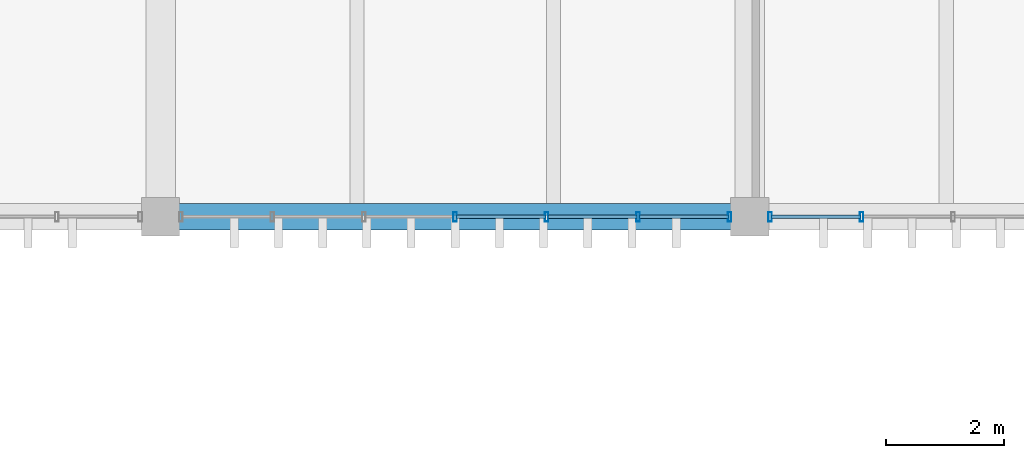
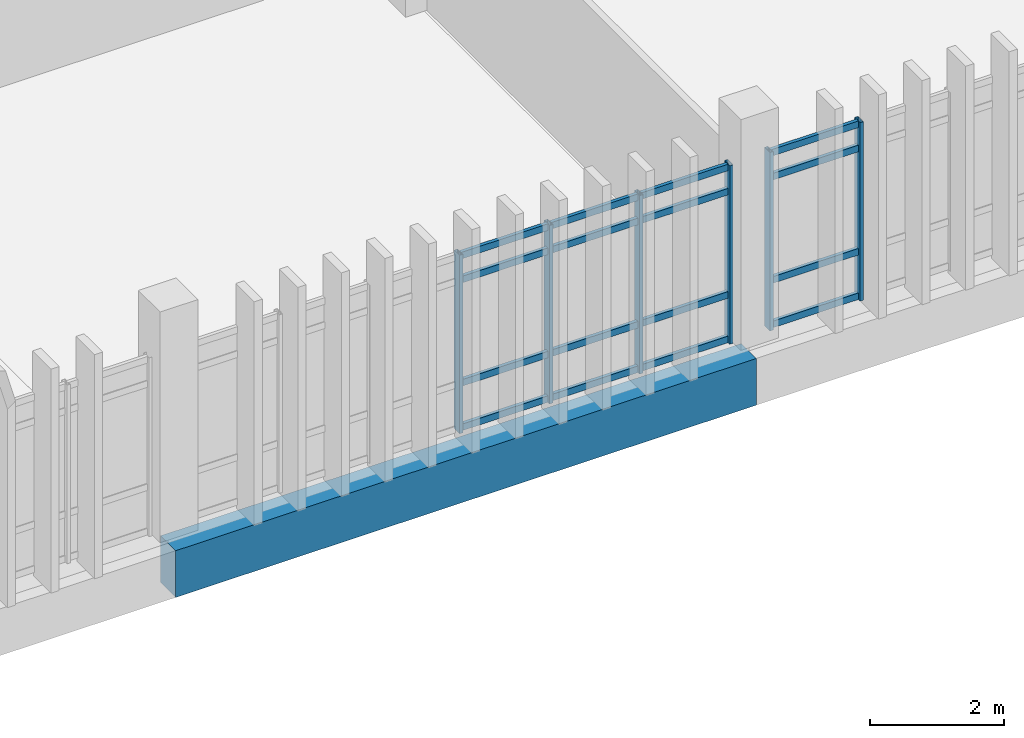
# One storey, part 22 of 82: 22 members, 1 beam, 2 elements without a shape of their own.
"""IFC4 building model written with IfcOpenShell, lengths in metres."""

from ifc_helpers import new_model, si_unit, direction, frame, origin, origin_2d, place, context, subcontext, project, spatial, rectangle, hollow_rectangle, extrude, material, layer, layer_set, material_profile, profile_set, type_object, element, aggregate, save


model = new_model("IFC4")

# Units and contexts
model_context = context("Model", 3, precision=1e-05, world=origin(), true_north=direction((0.0, 1.0)))
body_context = subcontext(model_context, "Body", "Model", "MODEL_VIEW")
ifc_project = project(units=[si_unit("LENGTHUNIT", "METRE"), si_unit("AREAUNIT", "SQUARE_METRE"), si_unit("VOLUMEUNIT", "CUBIC_METRE"), si_unit("PLANEANGLEUNIT", "RADIAN"), si_unit("MASSUNIT", "GRAM", prefix="KILO")], contexts=[model_context])

# Site, building, storey
site_placement = place(None, origin())
site = spatial("IfcSite", under=ifc_project, at=site_placement, CompositionType="ELEMENT")
building_placement = place(site_placement, origin())
building = spatial("IfcBuilding", under=site, at=building_placement, Name="Mersad Railyard Sports Hall", CompositionType="ELEMENT")
storey_placement = place(building_placement, frame((0.0, 0.0, 13.199951171875)))
storey = spatial("IfcBuildingStorey", under=building, at=storey_placement, Name="L03", CompositionType="ELEMENT", Elevation=13.199951171875)

# Curtain wall, members
ifc_material_1 = material(Name="Aluminium 6063-T6", Category="aluminium")
ifc_layer = layer(ifc_material_1, 0.159912109375)
ifc_layer_set = layer_set([ifc_layer], Name="Aluminium 6063-T6")
curtain_wall_type = type_object("IfcCurtainWallType", Name="ARC-CW-CW60", PredefinedType="USERDEFINED", material=ifc_layer_set)
curtain_wall_1_placement = place(storey_placement, origin())
curtain_wall_1 = element("IfcCurtainWall", 1, at=curtain_wall_1_placement, inside=storey, type_object=curtain_wall_type, Name="Curtain wall CW60-0158", ObjectType="CURTAIN WALL", PredefinedType="USERDEFINED")
ifc_material_profile_1 = material_profile(ifc_material_1, hollow_rectangle(XDim=0.06005859375, YDim=0.159912109375, WallThickness=0.00390625, at=origin_2d()), Name="AL MULLION 60x160x4")
ifc_profile_set_1 = profile_set([ifc_material_profile_1], Name="Aluminium 6063-T6")
member_type_1 = type_object("IfcMemberType", Name="ARC-CW-MUL01", PredefinedType="MULLION", material=ifc_profile_set_1)
member_1_placement = place(storey_placement, frame((100.655029296875, 85.0, -0.02001953125), z_axis=(0.0, 0.0, 1.0), x_axis=(1.0, 0.0, 0.0)))
member_1 = element("IfcMember", 2, at=member_1_placement, type_object=member_type_1, Name="CW60 Mullion 1", PredefinedType="MULLION", context=body_context, shape_type="SweptSolid", body=[
    extrude(hollow_rectangle(XDim=0.06005859375, YDim=0.159912109375, WallThickness=0.00390625, at=origin_2d()), origin(), (0.0, 0.0, 1.0), 3.25),
])
member_2_placement = place(storey_placement, frame((99.103271484375, 85.0, -0.02001953125), z_axis=(0.0, 0.0, 1.0), x_axis=(1.0, 0.0, 0.0)))
member_2 = element("IfcMember", 3, at=member_2_placement, type_object=member_type_1, Name="CW60 Mullion 2", PredefinedType="MULLION", context=body_context, shape_type="SweptSolid", body=[
    extrude(hollow_rectangle(XDim=0.06005859375, YDim=0.159912109375, WallThickness=0.00390625, at=origin_2d()), origin(), (0.0, 0.0, 1.0), 3.25),
])
member_3_placement = place(storey_placement, frame((97.5517578125, 85.0, -0.02001953125), z_axis=(0.0, 0.0, 1.0), x_axis=(1.0, 0.0, 0.0)))
member_3 = element("IfcMember", 4, at=member_3_placement, type_object=member_type_1, Name="CW60 Mullion 3", PredefinedType="MULLION", context=body_context, shape_type="SweptSolid", body=[
    extrude(hollow_rectangle(XDim=0.06005859375, YDim=0.159912109375, WallThickness=0.00390625, at=origin_2d()), origin(), (0.0, 0.0, 1.0), 3.25),
])
member_4_placement = place(storey_placement, frame((96.0, 85.0, -0.02001953125), z_axis=(0.0, 0.0, 1.0), x_axis=(1.0, 0.0, 0.0)))
member_4 = element("IfcMember", 5, at=member_4_placement, type_object=member_type_1, Name="CW60 Mullion 4", PredefinedType="MULLION", context=body_context, shape_type="SweptSolid", body=[
    extrude(hollow_rectangle(XDim=0.06005859375, YDim=0.159912109375, WallThickness=0.00390625, at=origin_2d()), origin(), (0.0, 0.0, 1.0), 3.25),
])

curtain_wall_2_placement = place(storey_placement, origin())
curtain_wall_2 = element("IfcCurtainWall", 6, at=curtain_wall_2_placement, inside=storey, type_object=curtain_wall_type, Name="Curtain wall CW60-0159", ObjectType="CURTAIN WALL", PredefinedType="USERDEFINED")
member_5_placement = place(storey_placement, frame((102.896728515625, 85.0, -0.02001953125), z_axis=(0.0, 0.0, 1.0), x_axis=(1.0, 0.0, 0.0)))
member_5 = element("IfcMember", 7, at=member_5_placement, type_object=member_type_1, Name="CW60 Mullion 6", PredefinedType="MULLION", context=body_context, shape_type="SweptSolid", body=[
    extrude(hollow_rectangle(XDim=0.06005859375, YDim=0.159912109375, WallThickness=0.00390625, at=origin_2d()), origin(), (0.0, 0.0, 1.0), 3.25),
])
member_6_placement = place(storey_placement, frame((101.344970703125, 85.0, -0.02001953125), z_axis=(0.0, 0.0, 1.0), x_axis=(1.0, 0.0, 0.0)))
member_6 = element("IfcMember", 8, at=member_6_placement, type_object=member_type_1, Name="CW60 Mullion 7", PredefinedType="MULLION", context=body_context, shape_type="SweptSolid", body=[
    extrude(hollow_rectangle(XDim=0.06005859375, YDim=0.159912109375, WallThickness=0.00390625, at=origin_2d()), origin(), (0.0, 0.0, 1.0), 3.25),
])

# Member
ifc_material_profile_2 = material_profile(ifc_material_1, hollow_rectangle(XDim=0.06005859375, YDim=0.1201171875, WallThickness=0.00390625, at=origin_2d()), Name="AL TRANSOM 60x120x4")
ifc_profile_set_2 = profile_set([ifc_material_profile_2], Name="Aluminium 6063-T6")
member_type_2 = type_object("IfcMemberType", Name="ARC-CW-TRN01", PredefinedType="USERDEFINED", material=ifc_profile_set_2)
member_7_placement = place(storey_placement, frame((100.635009765625, 85.0, 0.0400390625), z_axis=(-1.0, 0.0, 0.0), x_axis=(0.0, -1.0, 0.0)))
member_7 = element("IfcMember", 9, at=member_7_placement, type_object=member_type_2, Name="CW60 Transom 1-1", ObjectType="TRANSOM", PredefinedType="USERDEFINED", context=body_context, shape_type="SweptSolid", body=[
    extrude(hollow_rectangle(XDim=0.06005859375, YDim=0.1201171875, WallThickness=0.00390625, at=origin_2d()), origin(), (0.0, 0.0, 1.0), 1.51171875),
])

member_8_placement = place(storey_placement, frame((99.083251953125, 85.0, 0.0400390625), z_axis=(-1.0, 0.0, 0.0), x_axis=(0.0, -1.0, 0.0)))
member_8 = element("IfcMember", 10, at=member_8_placement, type_object=member_type_2, Name="CW60 Transom 1-2", ObjectType="TRANSOM", PredefinedType="USERDEFINED", context=body_context, shape_type="SweptSolid", body=[
    extrude(hollow_rectangle(XDim=0.06005859375, YDim=0.1201171875, WallThickness=0.00390625, at=origin_2d()), origin(), (0.0, 0.0, 1.0), 1.511474609375),
])

member_9_placement = place(storey_placement, frame((97.53173828125, 85.0, 0.0400390625), z_axis=(-1.0, 0.0, 0.0), x_axis=(0.0, -1.0, 0.0)))
member_9 = element("IfcMember", 11, at=member_9_placement, type_object=member_type_2, Name="CW60 Transom 1-3", ObjectType="TRANSOM", PredefinedType="USERDEFINED", context=body_context, shape_type="SweptSolid", body=[
    extrude(hollow_rectangle(XDim=0.06005859375, YDim=0.1201171875, WallThickness=0.00390625, at=origin_2d()), origin(), (0.0, 0.0, 1.0), 1.51171875),
])

member_10_placement = place(storey_placement, frame((100.635009765625, 85.0, 0.85009765625), z_axis=(-1.0, 0.0, 0.0), x_axis=(0.0, -1.0, 0.0)))
member_10 = element("IfcMember", 12, at=member_10_placement, type_object=member_type_2, Name="CW60 Transom 2-1", ObjectType="TRANSOM", PredefinedType="USERDEFINED", context=body_context, shape_type="SweptSolid", body=[
    extrude(hollow_rectangle(XDim=0.06005859375, YDim=0.1201171875, WallThickness=0.00390625, at=origin_2d()), origin(), (0.0, 0.0, 1.0), 1.51171875),
])

member_11_placement = place(storey_placement, frame((99.083251953125, 85.0, 0.85009765625), z_axis=(-1.0, 0.0, 0.0), x_axis=(0.0, -1.0, 0.0)))
member_11 = element("IfcMember", 13, at=member_11_placement, type_object=member_type_2, Name="CW60 Transom 2-2", ObjectType="TRANSOM", PredefinedType="USERDEFINED", context=body_context, shape_type="SweptSolid", body=[
    extrude(hollow_rectangle(XDim=0.06005859375, YDim=0.1201171875, WallThickness=0.00390625, at=origin_2d()), origin(), (0.0, 0.0, 1.0), 1.511474609375),
])

member_12_placement = place(storey_placement, frame((97.53173828125, 85.0, 0.85009765625), z_axis=(-1.0, 0.0, 0.0), x_axis=(0.0, -1.0, 0.0)))
member_12 = element("IfcMember", 14, at=member_12_placement, type_object=member_type_2, Name="CW60 Transom 2-3", ObjectType="TRANSOM", PredefinedType="USERDEFINED", context=body_context, shape_type="SweptSolid", body=[
    extrude(hollow_rectangle(XDim=0.06005859375, YDim=0.1201171875, WallThickness=0.00390625, at=origin_2d()), origin(), (0.0, 0.0, 1.0), 1.51171875),
])

member_13_placement = place(storey_placement, frame((100.635009765625, 85.0, 2.72998046875), z_axis=(-1.0, 0.0, 0.0), x_axis=(0.0, -1.0, 0.0)))
member_13 = element("IfcMember", 15, at=member_13_placement, type_object=member_type_2, Name="CW60 Transom 3-1", ObjectType="TRANSOM", PredefinedType="USERDEFINED", context=body_context, shape_type="SweptSolid", body=[
    extrude(hollow_rectangle(XDim=0.06005859375, YDim=0.1201171875, WallThickness=0.00390625, at=origin_2d()), origin(), (0.0, 0.0, 1.0), 1.51171875),
])

member_14_placement = place(storey_placement, frame((99.083251953125, 85.0, 2.72998046875), z_axis=(-1.0, 0.0, 0.0), x_axis=(0.0, -1.0, 0.0)))
member_14 = element("IfcMember", 16, at=member_14_placement, type_object=member_type_2, Name="CW60 Transom 3-2", ObjectType="TRANSOM", PredefinedType="USERDEFINED", context=body_context, shape_type="SweptSolid", body=[
    extrude(hollow_rectangle(XDim=0.06005859375, YDim=0.1201171875, WallThickness=0.00390625, at=origin_2d()), origin(), (0.0, 0.0, 1.0), 1.511474609375),
])

member_15_placement = place(storey_placement, frame((97.53173828125, 85.0, 2.72998046875), z_axis=(-1.0, 0.0, 0.0), x_axis=(0.0, -1.0, 0.0)))
member_15 = element("IfcMember", 17, at=member_15_placement, type_object=member_type_2, Name="CW60 Transom 3-3", ObjectType="TRANSOM", PredefinedType="USERDEFINED", context=body_context, shape_type="SweptSolid", body=[
    extrude(hollow_rectangle(XDim=0.06005859375, YDim=0.1201171875, WallThickness=0.00390625, at=origin_2d()), origin(), (0.0, 0.0, 1.0), 1.51171875),
])

member_16_placement = place(storey_placement, frame((100.635009765625, 85.0, 3.170166015625), z_axis=(-1.0, 0.0, 0.0), x_axis=(0.0, -1.0, 0.0)))
member_16 = element("IfcMember", 18, at=member_16_placement, type_object=member_type_2, Name="CW60 Transom 4-1", ObjectType="TRANSOM", PredefinedType="USERDEFINED", context=body_context, shape_type="SweptSolid", body=[
    extrude(hollow_rectangle(XDim=0.06005859375, YDim=0.1201171875, WallThickness=0.00390625, at=origin_2d()), origin(), (0.0, 0.0, 1.0), 1.51171875),
])

member_17_placement = place(storey_placement, frame((99.083251953125, 85.0, 3.170166015625), z_axis=(-1.0, 0.0, 0.0), x_axis=(0.0, -1.0, 0.0)))
member_17 = element("IfcMember", 19, at=member_17_placement, type_object=member_type_2, Name="CW60 Transom 4-2", ObjectType="TRANSOM", PredefinedType="USERDEFINED", context=body_context, shape_type="SweptSolid", body=[
    extrude(hollow_rectangle(XDim=0.06005859375, YDim=0.1201171875, WallThickness=0.00390625, at=origin_2d()), origin(), (0.0, 0.0, 1.0), 1.511474609375),
])

member_18_placement = place(storey_placement, frame((97.53173828125, 85.0, 3.170166015625), z_axis=(-1.0, 0.0, 0.0), x_axis=(0.0, -1.0, 0.0)))
member_18 = element("IfcMember", 20, at=member_18_placement, type_object=member_type_2, Name="CW60 Transom 4-3", ObjectType="TRANSOM", PredefinedType="USERDEFINED", context=body_context, shape_type="SweptSolid", body=[
    extrude(hollow_rectangle(XDim=0.06005859375, YDim=0.1201171875, WallThickness=0.00390625, at=origin_2d()), origin(), (0.0, 0.0, 1.0), 1.51171875),
])

aggregate(curtain_wall_1, [member_1, member_2, member_3, member_4, member_7, member_8, member_9, member_10, member_11, member_12, member_13, member_14, member_15, member_16, member_17, member_18])

member_19_placement = place(storey_placement, frame((102.876708984375, 85.0, 0.0400390625), z_axis=(-1.0, 0.0, 0.0), x_axis=(0.0, -1.0, 0.0)))
member_19 = element("IfcMember", 21, at=member_19_placement, type_object=member_type_2, Name="CW60 Transom 1-6", ObjectType="TRANSOM", PredefinedType="USERDEFINED", context=body_context, shape_type="SweptSolid", body=[
    extrude(hollow_rectangle(XDim=0.06005859375, YDim=0.1201171875, WallThickness=0.00390625, at=origin_2d()), origin(), (0.0, 0.0, 1.0), 1.51171875),
])

member_20_placement = place(storey_placement, frame((102.876708984375, 85.0, 0.85009765625), z_axis=(-1.0, 0.0, 0.0), x_axis=(0.0, -1.0, 0.0)))
member_20 = element("IfcMember", 22, at=member_20_placement, type_object=member_type_2, Name="CW60 Transom 2-6", ObjectType="TRANSOM", PredefinedType="USERDEFINED", context=body_context, shape_type="SweptSolid", body=[
    extrude(hollow_rectangle(XDim=0.06005859375, YDim=0.1201171875, WallThickness=0.00390625, at=origin_2d()), origin(), (0.0, 0.0, 1.0), 1.51171875),
])

member_21_placement = place(storey_placement, frame((102.876708984375, 85.0, 2.72998046875), z_axis=(-1.0, 0.0, 0.0), x_axis=(0.0, -1.0, 0.0)))
member_21 = element("IfcMember", 23, at=member_21_placement, type_object=member_type_2, Name="CW60 Transom 3-6", ObjectType="TRANSOM", PredefinedType="USERDEFINED", context=body_context, shape_type="SweptSolid", body=[
    extrude(hollow_rectangle(XDim=0.06005859375, YDim=0.1201171875, WallThickness=0.00390625, at=origin_2d()), origin(), (0.0, 0.0, 1.0), 1.51171875),
])

member_22_placement = place(storey_placement, frame((102.876708984375, 85.0, 3.170166015625), z_axis=(-1.0, 0.0, 0.0), x_axis=(0.0, -1.0, 0.0)))
member_22 = element("IfcMember", 24, at=member_22_placement, type_object=member_type_2, Name="CW60 Transom 4-6", ObjectType="TRANSOM", PredefinedType="USERDEFINED", context=body_context, shape_type="SweptSolid", body=[
    extrude(hollow_rectangle(XDim=0.06005859375, YDim=0.1201171875, WallThickness=0.00390625, at=origin_2d()), origin(), (0.0, 0.0, 1.0), 1.51171875),
])

aggregate(curtain_wall_2, [member_5, member_6, member_19, member_20, member_21, member_22])

# Beam
ifc_material_2 = material(Name="Concrete C40/50", Category="concrete")
ifc_material_profile_3 = material_profile(ifc_material_2, rectangle(XDim=0.449951171875, YDim=0.85009765625, at=origin_2d()), Name="RC 450x850")
ifc_profile_set_3 = profile_set([ifc_material_profile_3], Name="Concrete C40/50")
beam_type = type_object("IfcBeamType", Name="STR-BM-B02", PredefinedType="BEAM", material=ifc_profile_set_3)
beam_placement = place(storey_placement, frame((91.0, 85.0, -0.744873046875), z_axis=(1.0, 0.0, 0.0), x_axis=(0.0, 1.0, 0.0)))
element("IfcBeam", 25, at=beam_placement, inside=storey, type_object=beam_type, Name="Beam B02-1216", PredefinedType="BEAM", context=body_context, shape_type="SweptSolid", body=[
    extrude(rectangle(XDim=0.449951171875, YDim=0.85009765625, at=origin_2d()), origin(), (0.0, 0.0, 1.0), 10.0),
])

save(model, "model.ifc")
